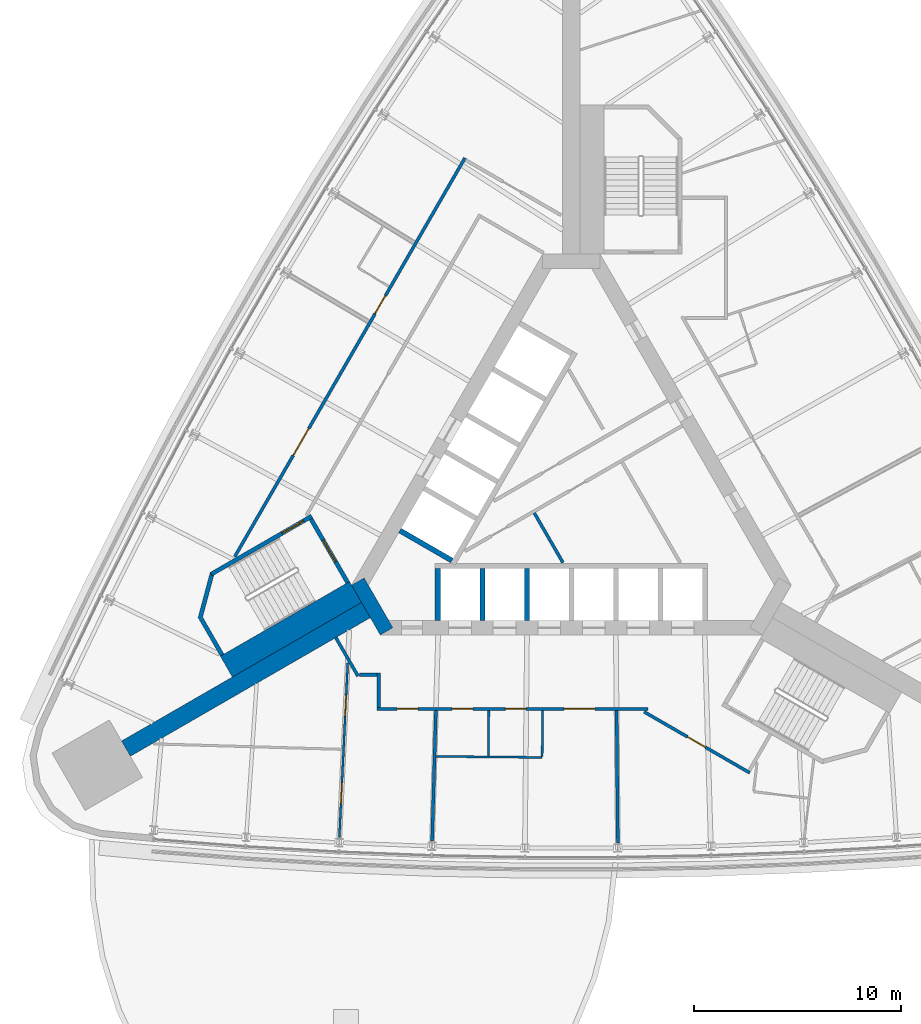
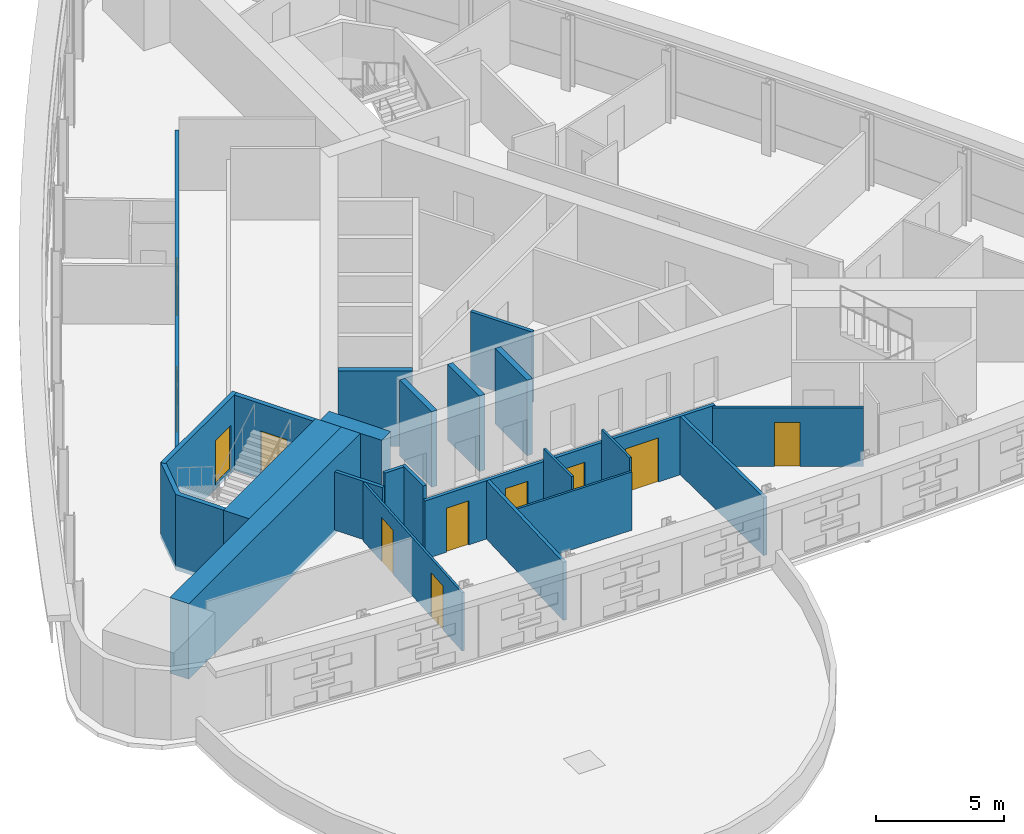
# One storey, part 10 of 15: 23 walls, 11 doors, 11 openings.
"""IFC4 building model written with IfcOpenShell, lengths in metres."""

from ifc_helpers import new_model, si_unit, direction, frame, frame_2d, origin, place, context, subcontext, project, spatial, polyline, rectangle, outline, extrude, material, layer, layer_set, type_object, element, fill, save


model = new_model("IFC4")

# Units and contexts
model_context = context("Model", 3, precision=1e-05, world=origin(), true_north=direction((0.0, 1.0)))
body_context = subcontext(model_context, "Body", "Model", "MODEL_VIEW")
ifc_project = project(units=[si_unit("LENGTHUNIT", "METRE"), si_unit("AREAUNIT", "SQUARE_METRE"), si_unit("VOLUMEUNIT", "CUBIC_METRE"), si_unit("PLANEANGLEUNIT", "RADIAN"), si_unit("MASSUNIT", "GRAM", prefix="KILO")], contexts=[model_context])

# Site, building, storey
site_placement = place(None, origin())
site = spatial("IfcSite", under=ifc_project, at=site_placement, CompositionType="ELEMENT")
building_placement = place(site_placement, origin())
building = spatial("IfcBuilding", under=site, at=building_placement, Name="Noor Cloister Tower", CompositionType="ELEMENT")
storey_placement = place(building_placement, frame((0.0, 0.0, 69.0)))
storey = spatial("IfcBuildingStorey", under=building, at=storey_placement, Name="L17", CompositionType="ELEMENT", Elevation=69.0)

# Walls
ifc_material_1 = material(Name="Concrete C80/95", Category="concrete")
ifc_layer_1 = layer(ifc_material_1, 0.85009765625)
ifc_layer_set_1 = layer_set([ifc_layer_1], Name="Buttress wall 850 C80/95")
wall_type_1 = type_object("IfcWallType", Name="Buttress wall 850 C80/95", PredefinedType="SHEAR", material=ifc_layer_set_1)
wall_1_placement = place(storey_placement, frame((-9.921630859375, -5.728271484375, -0.199951171875), z_axis=(0.0, 0.0, 1.0), x_axis=(-0.866026077102, -0.499998833779, 0.0)))
element("IfcWall", 1, at=wall_1_placement, inside=storey, type_object=wall_type_1, Name="Buttress wall SW L17", PredefinedType="SHEAR", context=body_context, shape_type="SweptSolid", body=[
    extrude(rectangle(XDim=13.38134765625, YDim=0.85009765625, at=frame_2d((6.690673828125, 0.0))), origin(), (0.0, 0.0, 1.0), 3.599853515625),
])
ifc_material_2 = material(Name="Concrete C30/37", Category="concrete")
ifc_layer_2 = layer(ifc_material_2, 0.14990234375)
ifc_layer_set_2 = layer_set([ifc_layer_2], Name="Core partition 150 C30/37")
wall_type_2 = type_object("IfcWallType", Name="Core partition 150 C30/37", PredefinedType="PARTITIONING", material=ifc_layer_set_2)
wall_2_placement = place(storey_placement, frame((-0.40673828125, -3.439208984375, 0.0), z_axis=(0.0, 0.0, 1.0), x_axis=(-0.500004591975, 0.86602275259, 0.0)))
element("IfcWall", 2, at=wall_2_placement, inside=storey, type_object=wall_type_2, Name="Core room partition L17 4", PredefinedType="PARTITIONING", context=body_context, shape_type="SweptSolid", body=[
    extrude(rectangle(XDim=2.771484375, YDim=0.14990234375, at=frame_2d((1.3857421875, 0.0))), origin(), (0.0, 0.0, 1.0), 3.39990234375),
])
ifc_material_3 = material(Name="Concrete C80/95", Category="concrete")
ifc_layer_3 = layer(ifc_material_3, 0.699951171875)
ifc_layer_set_3 = layer_set([ifc_layer_3], Name="Core wall 700 C80/95")
wall_type_3 = type_object("IfcWallType", Name="Core wall 700 C80/95", PredefinedType="SHEAR", material=ifc_layer_set_3)
wall_3_placement = place(storey_placement, frame((-10.311279296875, -4.353271484375, -0.199951171875), z_axis=(0.0, 0.0, 1.0), x_axis=(0.500042739161, -0.866000726912, 0.0)))
element("IfcWall", 3, at=wall_3_placement, inside=storey, type_object=wall_type_3, Name="Core wall L17 6", PredefinedType="SHEAR", context=body_context, shape_type="SweptSolid", body=[
    extrude(rectangle(XDim=2.771240234375, YDim=0.699951171875, at=frame_2d((1.3857421875, 0.0))), origin(), (0.0, 0.0, 1.0), 3.599853515625),
])

# Wall, openings, doors
ifc_material_4 = material(Name="Gypsum board partition on steel studs, 150 mm", Category="steel")
ifc_layer_4 = layer(ifc_material_4, 0.14990234375)
ifc_layer_set_4 = layer_set([ifc_layer_4], Name="Flat wall 150")
wall_type_4 = type_object("IfcWallType", Name="Flat wall 150", PredefinedType="PARTITIONING", material=ifc_layer_set_4)
wall_4_placement = place(storey_placement, frame((-16.255615234375, -3.149169921875, 0.0), z_axis=(0.0, 0.0, 1.0), x_axis=(0.499999683919, 0.866025586274, 0.0)))
wall_4 = element("IfcWall", 4, at=wall_4_placement, inside=storey, type_object=wall_type_4, Name="Flat wall 150 L17 001", PredefinedType="PARTITIONING", context=body_context, shape_type="SweptSolid", body=[
    extrude(rectangle(XDim=22.23388671875, YDim=0.14990234375, at=frame_2d((11.116943359375, 0.0))), origin(), (0.0, 0.0, 1.0), 2.778076171875),
])
opening_1_placement = place(wall_4_placement, frame((13.551025390625, 0.0, 0.0)))
opening_1 = element("IfcOpeningElement", 5, at=opening_1_placement, cuts=wall_4, Name="Opening L17-001", PredefinedType="OPENING", context=body_context, shape_type="SweptSolid", body=[
    extrude(rectangle(XDim=1.0, YDim=2.10009765625, at=frame_2d((0.5, 1.050048828125))), frame((0.0, 0.0849609375, 0.0), z_axis=(0.0, -1.0, 0.0), x_axis=(1.0, 0.0, 0.0)), (0.0, 0.0, 1.0), 0.169921875),
])
opening_2_placement = place(wall_4_placement, frame((5.646728515625, 0.0, 0.0)))
opening_2 = element("IfcOpeningElement", 6, at=opening_2_placement, cuts=wall_4, Name="Opening L17-002", PredefinedType="OPENING", context=body_context, shape_type="SweptSolid", body=[
    extrude(rectangle(XDim=1.5, YDim=2.10009765625, at=frame_2d((0.75, 1.050048828125))), frame((0.0, 0.0849609375, 0.0), z_axis=(0.0, -1.0, 0.0), x_axis=(1.0, 0.0, 0.0)), (0.0, 0.0, 1.0), 0.169921875),
])
ifc_material_5 = material(Name="Timber door leaf with steel frame", Category="steel")
door_type_1 = type_object("IfcDoorType", Name="Assisted living door 1000", OperationType="NOTDEFINED", PredefinedType="DOOR", material=ifc_material_5)
door_1_placement = place(opening_1_placement, origin())
door_1 = element("IfcDoor", 7, at=door_1_placement, inside=storey, type_object=door_type_1, Name="Assisted living door 1000 L17-001", OperationType="SINGLE_SWING_RIGHT", OverallHeight=2.10009765625, OverallWidth=1.0, PredefinedType="DOOR", context=body_context, shape_type="SweptSolid", body=[
    extrude(rectangle(XDim=1.0, YDim=2.10009765625, at=frame_2d((0.5, 1.050048828125))), frame((0.0, 0.02490234375, 0.0), z_axis=(0.0, -1.0, 0.0), x_axis=(1.0, 0.0, 0.0)), (0.0, 0.0, 1.0), 0.050048828125),
])
fill(opening_1, door_1)
ifc_material_6 = material(Name="Timber door leaf with steel frame", Category="steel")
door_type_2 = type_object("IfcDoorType", Name="Double door 1500 FD60", OperationType="NOTDEFINED", PredefinedType="DOOR", material=ifc_material_6)
door_2_placement = place(opening_2_placement, origin())
door_2 = element("IfcDoor", 8, at=door_2_placement, inside=storey, type_object=door_type_2, Name="Double door 1500 L17-002", OperationType="DOUBLE_DOOR_SINGLE_SWING", OverallHeight=2.10009765625, OverallWidth=1.5, PredefinedType="DOOR", context=body_context, shape_type="SweptSolid", body=[
    extrude(rectangle(XDim=1.5, YDim=2.10009765625, at=frame_2d((0.75, 1.050048828125))), frame((0.0, 0.02490234375, 0.0), z_axis=(0.0, -1.0, 0.0), x_axis=(1.0, 0.0, 0.0)), (0.0, 0.0, 1.0), 0.050048828125),
])
fill(opening_2, door_2)

wall_5_placement = place(storey_placement, frame((3.68896484375, -10.503173828125, 0.0), z_axis=(0.0, 0.0, 1.0), x_axis=(-1.0, 0.0, 0.0)))
wall_5 = element("IfcWall", 9, at=wall_5_placement, inside=storey, type_object=wall_type_4, Name="Flat wall 150 L17 004", PredefinedType="PARTITIONING", context=body_context, shape_type="SweptSolid", body=[
    extrude(rectangle(XDim=13.067626953125, YDim=0.14990234375, at=frame_2d((6.53369140625, 0.0))), origin(), (0.0, 0.0, 1.0), 2.778076171875),
])
opening_3_placement = place(wall_5_placement, frame((11.103271484375, 0.0, 0.0)))
opening_3 = element("IfcOpeningElement", 10, at=opening_3_placement, cuts=wall_5, Name="Opening L17-006", PredefinedType="OPENING", context=body_context, shape_type="SweptSolid", body=[
    extrude(rectangle(XDim=1.0, YDim=2.10009765625, at=frame_2d((0.5, 1.050048828125))), frame((0.0, 0.0849609375, 0.0), z_axis=(0.0, -1.0, 0.0), x_axis=(1.0, 0.0, 0.0)), (0.0, 0.0, 1.0), 0.169921875),
])
opening_4_placement = place(wall_5_placement, frame((8.443115234375, 0.0, 0.0)))
opening_4 = element("IfcOpeningElement", 11, at=opening_4_placement, cuts=wall_5, Name="Opening L17-007", PredefinedType="OPENING", context=body_context, shape_type="SweptSolid", body=[
    extrude(rectangle(XDim=1.0, YDim=2.10009765625, at=frame_2d((0.5, 1.050048828125))), frame((0.0, 0.0849609375, 0.0), z_axis=(0.0, -1.0, 0.0), x_axis=(1.0, 0.0, 0.0)), (0.0, 0.0, 1.0), 0.169921875),
])
opening_5_placement = place(wall_5_placement, frame((5.87890625, 0.0, 0.0)))
opening_5 = element("IfcOpeningElement", 12, at=opening_5_placement, cuts=wall_5, Name="Opening L17-008", PredefinedType="OPENING", context=body_context, shape_type="SweptSolid", body=[
    extrude(rectangle(XDim=1.0, YDim=2.10009765625, at=frame_2d((0.5, 1.050048828125))), frame((0.0, 0.0849609375, 0.0), z_axis=(0.0, -1.0, 0.0), x_axis=(1.0, 0.0, 0.0)), (0.0, 0.0, 1.0), 0.169921875),
])
opening_6_placement = place(wall_5_placement, frame((2.55615234375, 0.0, 0.0)))
opening_6 = element("IfcOpeningElement", 13, at=opening_6_placement, cuts=wall_5, Name="Opening L17-009", PredefinedType="OPENING", context=body_context, shape_type="SweptSolid", body=[
    extrude(rectangle(XDim=1.5, YDim=2.10009765625, at=frame_2d((0.75, 1.050048828125))), frame((0.0, 0.0849609375, 0.0), z_axis=(0.0, -1.0, 0.0), x_axis=(1.0, 0.0, 0.0)), (0.0, 0.0, 1.0), 0.169921875),
])
ifc_material_7 = material(Name="Timber door leaf with steel frame", Category="steel")
door_type_3 = type_object("IfcDoorType", Name="Accessible WC door 1000", OperationType="NOTDEFINED", PredefinedType="DOOR", material=ifc_material_7)
door_3_placement = place(opening_4_placement, origin())
door_3 = element("IfcDoor", 14, at=door_3_placement, inside=storey, type_object=door_type_3, Name="Accessible WC door 1000 L17-007", OperationType="SINGLE_SWING_RIGHT", OverallHeight=2.10009765625, OverallWidth=1.0, PredefinedType="DOOR", context=body_context, shape_type="SweptSolid", body=[
    extrude(rectangle(XDim=1.0, YDim=2.10009765625, at=frame_2d((0.5, 1.050048828125))), frame((0.0, 0.02490234375, 0.0), z_axis=(0.0, -1.0, 0.0), x_axis=(1.0, 0.0, 0.0)), (0.0, 0.0, 1.0), 0.050048828125),
])
fill(opening_4, door_3)
door_4_placement = place(opening_6_placement, origin())
door_4 = element("IfcDoor", 15, at=door_4_placement, inside=storey, type_object=door_type_2, Name="Double door 1500 L17-009", OperationType="DOUBLE_DOOR_SINGLE_SWING", OverallHeight=2.10009765625, OverallWidth=1.5, PredefinedType="DOOR", context=body_context, shape_type="SweptSolid", body=[
    extrude(rectangle(XDim=1.5, YDim=2.10009765625, at=frame_2d((0.75, 1.050048828125))), frame((0.0, 0.02490234375, 0.0), z_axis=(0.0, -1.0, 0.0), x_axis=(1.0, 0.0, 0.0)), (0.0, 0.0, 1.0), 0.050048828125),
])
fill(opening_6, door_4)
ifc_material_8 = material(Name="Timber door leaf with steel frame", Category="steel")
door_type_4 = type_object("IfcDoorType", Name="Flat entrance door 1000 FD60S", OperationType="NOTDEFINED", PredefinedType="DOOR", material=ifc_material_8)
door_5_placement = place(opening_3_placement, origin())
door_5 = element("IfcDoor", 16, at=door_5_placement, inside=storey, type_object=door_type_4, Name="Flat entrance door 1000 L17-006", OperationType="SINGLE_SWING_RIGHT", OverallHeight=2.10009765625, OverallWidth=1.0, PredefinedType="DOOR", context=body_context, shape_type="SweptSolid", body=[
    extrude(rectangle(XDim=1.0, YDim=2.10009765625, at=frame_2d((0.5, 1.050048828125))), frame((0.0, 0.02490234375, 0.0), z_axis=(0.0, -1.0, 0.0), x_axis=(1.0, 0.0, 0.0)), (0.0, 0.0, 1.0), 0.050048828125),
])
fill(opening_3, door_5)
ifc_material_9 = material(Name="Timber door leaf with steel frame", Category="steel")
door_type_5 = type_object("IfcDoorType", Name="Interior door 1000 FD60", OperationType="NOTDEFINED", PredefinedType="DOOR", material=ifc_material_9)
door_6_placement = place(opening_5_placement, origin())
door_6 = element("IfcDoor", 17, at=door_6_placement, inside=storey, type_object=door_type_5, Name="Interior door 1000 L17-008", OperationType="SINGLE_SWING_LEFT", OverallHeight=2.10009765625, OverallWidth=1.0, PredefinedType="DOOR", context=body_context, shape_type="SweptSolid", body=[
    extrude(rectangle(XDim=1.0, YDim=2.10009765625, at=frame_2d((0.5, 1.050048828125))), frame((0.0, 0.02490234375, 0.0), z_axis=(0.0, -1.0, 0.0), x_axis=(1.0, 0.0, 0.0)), (0.0, 0.0, 1.0), 0.050048828125),
])
fill(opening_5, door_6)

# Wall, opening, door
wall_6_placement = place(storey_placement, frame((8.6162109375, -13.58935546875, 0.0), z_axis=(0.0, 0.0, 1.0), x_axis=(-0.866039313704, 0.499975906538, 0.0)))
wall_6 = element("IfcWall", 18, at=wall_6_placement, inside=storey, type_object=wall_type_4, Name="Flat wall 150 L17 006", PredefinedType="PARTITIONING", context=body_context, shape_type="SweptSolid", body=[
    extrude(rectangle(XDim=5.892333984375, YDim=0.14990234375, at=frame_2d((2.9462890625, 0.0))), origin(), (0.0, 0.0, 1.0), 2.778076171875),
])
opening_7_placement = place(wall_6_placement, frame((2.47509765625, 0.0, 0.0)))
opening_7 = element("IfcOpeningElement", 19, at=opening_7_placement, cuts=wall_6, Name="Opening L17-010", PredefinedType="OPENING", context=body_context, shape_type="SweptSolid", body=[
    extrude(rectangle(XDim=1.0, YDim=2.10009765625, at=frame_2d((0.5, 1.050048828125))), frame((0.0, 0.0849609375, 0.0), z_axis=(0.0, -1.0, 0.0), x_axis=(1.0, 0.0, 0.0)), (0.0, 0.0, 1.0), 0.169921875),
])
door_7_placement = place(opening_7_placement, origin())
door_7 = element("IfcDoor", 20, at=door_7_placement, inside=storey, type_object=door_type_4, Name="Flat entrance door 1000 L17-010", OperationType="SINGLE_SWING_RIGHT", OverallHeight=2.10009765625, OverallWidth=1.0, PredefinedType="DOOR", context=body_context, shape_type="SweptSolid", body=[
    extrude(rectangle(XDim=1.0, YDim=2.10009765625, at=frame_2d((0.5, 1.050048828125))), frame((0.0, 0.02490234375, 0.0), z_axis=(0.0, -1.0, 0.0), x_axis=(1.0, 0.0, 0.0)), (0.0, 0.0, 1.0), 0.050048828125),
])
fill(opening_7, door_7)

# Walls
wall_7_placement = place(storey_placement, frame((-11.376220703125, -7.058837890625, 0.0), z_axis=(0.0, 0.0, 1.0), x_axis=(0.500076779081, -0.865981070823, 0.0)))
element("IfcWall", 21, at=wall_7_placement, inside=storey, type_object=wall_type_4, Name="Flat wall 150 L17 012", PredefinedType="PARTITIONING", context=body_context, shape_type="SweptSolid", body=[
    extrude(rectangle(XDim=2.147216796875, YDim=0.14990234375, at=frame_2d((1.07373046875, 0.0))), origin(), (0.0, 0.0, 1.0), 2.778076171875),
])
wall_8_placement = place(storey_placement, frame((-9.3037109375, -10.42822265625, 0.0), z_axis=(0.0, 0.0, 1.0), x_axis=(0.0, 1.0, 0.0)))
element("IfcWall", 22, at=wall_8_placement, inside=storey, type_object=wall_type_4, Name="Flat wall 150 L17 014", PredefinedType="PARTITIONING", context=body_context, shape_type="SweptSolid", body=[
    extrude(rectangle(XDim=1.64990234375, YDim=0.14990234375, at=frame_2d((0.824951171875, 0.0))), origin(), (0.0, 0.0, 1.0), 3.39990234375),
])
wall_9_placement = place(storey_placement, frame((-10.23779296875, -8.853271484375, 0.0), z_axis=(0.0, 0.0, 1.0), x_axis=(1.0, 0.0, 0.0)))
element("IfcWall", 23, at=wall_9_placement, inside=storey, type_object=wall_type_4, Name="Flat wall 150 L17 015", PredefinedType="PARTITIONING", context=body_context, shape_type="SweptSolid", body=[
    extrude(rectangle(XDim=0.859130859375, YDim=0.14990234375, at=frame_2d((0.4296875, 0.0))), origin(), (0.0, 0.0, 1.0), 3.39990234375),
])
wall_10_placement = place(storey_placement, frame((2.2421875, -16.96826171875, 0.0), z_axis=(0.0, 0.0, 1.0), x_axis=(-0.009628532285, 0.999953644609, 0.0)))
element("IfcWall", 24, at=wall_10_placement, inside=storey, type_object=wall_type_4, Name="Flat wall 150 L17 017", PredefinedType="PARTITIONING", context=body_context, shape_type="SweptSolid", body=[
    extrude(rectangle(XDim=6.3896484375, YDim=0.14990234375, at=frame_2d((3.19482421875, 0.0))), origin(), (0.0, 0.0, 1.0), 2.778076171875),
])
wall_11_placement = place(storey_placement, frame((-6.725830078125, -16.8818359375, 0.0), z_axis=(0.0, 0.0, 1.0), x_axis=(0.028929036321, 0.999581467844, 0.0)))
element("IfcWall", 25, at=wall_11_placement, inside=storey, type_object=wall_type_4, Name="Flat wall 150 L17 018", PredefinedType="PARTITIONING", context=body_context, shape_type="SweptSolid", body=[
    extrude(rectangle(XDim=6.30419921875, YDim=0.14990234375, at=frame_2d((3.152099609375, 0.0))), origin(), (0.0, 0.0, 1.0), 2.778076171875),
])

# Wall, openings, doors
ifc_material_10 = material(Name="Gypsum board partition on steel studs, 100 mm", Category="steel")
ifc_layer_5 = layer(ifc_material_10, 0.10009765625)
ifc_layer_set_5 = layer_set([ifc_layer_5], Name="Partition 100")
wall_type_5 = type_object("IfcWallType", Name="Partition 100", PredefinedType="PARTITIONING", material=ifc_layer_set_5)
wall_12_placement = place(storey_placement, frame((-11.20703125, -16.708740234375, 0.0), z_axis=(0.0, 0.0, 1.0), x_axis=(0.048196786961, 0.998837859578, 0.0)))
wall_12 = element("IfcWall", 26, at=wall_12_placement, inside=storey, type_object=wall_type_5, Name="Partition 100 L17 024", PredefinedType="PARTITIONING", context=body_context, shape_type="SweptSolid", body=[
    extrude(rectangle(XDim=8.428955078125, YDim=0.10009765625, at=frame_2d((4.21435546875, 0.0))), origin(), (0.0, 0.0, 1.0), 2.778076171875),
])
opening_8_placement = place(wall_12_placement, frame((5.8681640625, 0.0, 0.0)))
opening_8 = element("IfcOpeningElement", 27, at=opening_8_placement, cuts=wall_12, Name="Opening L17-015", PredefinedType="OPENING", context=body_context, shape_type="SweptSolid", body=[
    extrude(rectangle(XDim=1.0, YDim=2.10009765625, at=frame_2d((0.5, 1.050048828125))), frame((0.0, 0.06005859375, 0.0), z_axis=(0.0, -1.0, 0.0), x_axis=(1.0, 0.0, 0.0)), (0.0, 0.0, 1.0), 0.1201171875),
])
opening_9_placement = place(wall_12_placement, frame((1.635009765625, 0.0, 0.0)))
opening_9 = element("IfcOpeningElement", 28, at=opening_9_placement, cuts=wall_12, Name="Opening L17-016", PredefinedType="OPENING", context=body_context, shape_type="SweptSolid", body=[
    extrude(rectangle(XDim=1.0, YDim=2.10009765625, at=frame_2d((0.5, 1.050048828125))), frame((0.0, 0.06005859375, 0.0), z_axis=(0.0, -1.0, 0.0), x_axis=(1.0, 0.0, 0.0)), (0.0, 0.0, 1.0), 0.1201171875),
])
ifc_material_11 = material(Name="Timber door leaf with steel frame", Category="steel")
door_type_6 = type_object("IfcDoorType", Name="Interior door 1000", OperationType="NOTDEFINED", PredefinedType="DOOR", material=ifc_material_11)
door_8_placement = place(opening_8_placement, origin())
door_8 = element("IfcDoor", 29, at=door_8_placement, inside=storey, type_object=door_type_6, Name="Interior door 1000 L17-015", OperationType="SINGLE_SWING_RIGHT", OverallHeight=2.10009765625, OverallWidth=1.0, PredefinedType="DOOR", context=body_context, shape_type="SweptSolid", body=[
    extrude(rectangle(XDim=1.0, YDim=2.10009765625, at=frame_2d((0.5, 1.050048828125))), frame((0.0, 0.02490234375, 0.0), z_axis=(0.0, -1.0, 0.0), x_axis=(1.0, 0.0, 0.0)), (0.0, 0.0, 1.0), 0.050048828125),
])
fill(opening_8, door_8)
door_9_placement = place(opening_9_placement, origin())
door_9 = element("IfcDoor", 30, at=door_9_placement, inside=storey, type_object=door_type_6, Name="Interior door 1000 L17-016", OperationType="SINGLE_SWING_LEFT", OverallHeight=2.10009765625, OverallWidth=1.0, PredefinedType="DOOR", context=body_context, shape_type="SweptSolid", body=[
    extrude(rectangle(XDim=1.0, YDim=2.10009765625, at=frame_2d((0.5, 1.050048828125))), frame((0.0, 0.02490234375, 0.0), z_axis=(0.0, -1.0, 0.0), x_axis=(1.0, 0.0, 0.0)), (0.0, 0.0, 1.0), 0.050048828125),
])
fill(opening_9, door_9)

# Walls
wall_13_placement = place(storey_placement, frame((-6.531494140625, -12.794921875, 0.0), z_axis=(0.0, 0.0, 1.0), x_axis=(0.99995315176, -0.009679580841, 0.0)))
element("IfcWall", 31, at=wall_13_placement, inside=storey, type_object=wall_type_5, Name="Partition 100 L17 027", PredefinedType="PARTITIONING", context=body_context, shape_type="SweptSolid", body=[
    extrude(rectangle(XDim=5.1201171875, YDim=0.10009765625, at=frame_2d((2.56005859375, 0.0))), origin(), (0.0, 0.0, 1.0), 2.778076171875),
])
wall_14_placement = place(storey_placement, frame((-1.4111328125, -12.79443359375, 0.0), z_axis=(0.0, 0.0, 1.0), x_axis=(0.009585280215, 0.999954060146, 0.0)))
element("IfcWall", 32, at=wall_14_placement, inside=storey, type_object=wall_type_5, Name="Partition 100 L17 034", PredefinedType="PARTITIONING", context=body_context, shape_type="SweptSolid", body=[
    extrude(rectangle(XDim=2.2158203125, YDim=0.10009765625, at=frame_2d((1.10791015625, 0.0))), origin(), (0.0, 0.0, 1.0), 3.39990234375),
])
wall_15_placement = place(storey_placement, frame((-4.010986328125, -12.769287109375, 0.0), z_axis=(0.0, 0.0, 1.0), x_axis=(0.009583868309, 0.99995407368, 0.0)))
element("IfcWall", 33, at=wall_15_placement, inside=storey, type_object=wall_type_5, Name="Partition 100 L17 035", PredefinedType="PARTITIONING", context=body_context, shape_type="SweptSolid", body=[
    extrude(rectangle(XDim=2.190673828125, YDim=0.10009765625, at=frame_2d((1.09521484375, 0.0))), origin(), (0.0, 0.0, 1.0), 3.39990234375),
])
ifc_material_12 = material(Name="Concrete C80/95", Category="concrete")
ifc_layer_6 = layer(ifc_material_12, 0.25)
ifc_layer_set_6 = layer_set([ifc_layer_6], Name="Shaft wall 250 C80/95")
wall_type_6 = type_object("IfcWallType", Name="Shaft wall 250 C80/95", PredefinedType="PARTITIONING", material=ifc_layer_set_6)
for number, where, z_axis, x_axis, name in (
    (34, (-6.449951171875, -6.228271484375, -0.199951171875), (0.0, 0.0, 1.0), (0.0, 1.0, 0.0), "Lift shaft wall L17 S 1"),
    (35, (-4.300048828125, -6.228271484375, -0.199951171875), (0.0, 0.0, 1.0), (0.0, 1.0, 0.0), "Lift shaft wall L17 S 2"),
    (36, (-2.14990234375, -6.228271484375, -0.199951171875), (0.0, 0.0, 1.0), (0.0, 1.0, 0.0), "Lift shaft wall L17 S 3"),
):
    element("IfcWall", number, at=place(storey_placement, frame(where, z_axis=z_axis, x_axis=x_axis)), inside=storey, type_object=wall_type_6, Name=name, PredefinedType="PARTITIONING", context=body_context, shape_type="SweptSolid", body=[
        extrude(rectangle(XDim=2.5, YDim=0.25, at=frame_2d((1.25, 0.0))), origin(), (0.0, 0.0, 1.0), 3.599853515625),
    ])
wall_16_placement = place(storey_placement, frame((-8.28125, -1.88720703125, -0.199951171875), z_axis=(0.0, 0.0, 1.0), x_axis=(0.866032775405, -0.499987231761, 0.0)))
element("IfcWall", 37, at=wall_16_placement, inside=storey, type_object=wall_type_6, Name="Lift shaft wall L17 NW 6", PredefinedType="PARTITIONING", context=body_context, shape_type="SweptSolid", body=[
    extrude(rectangle(XDim=2.89990234375, YDim=0.25, at=frame_2d((1.449951171875, 0.0))), origin(), (0.0, 0.0, 1.0), 3.599853515625),
])
ifc_material_13 = material(Name="Concrete C80/95", Category="concrete")
ifc_layer_7 = layer(ifc_material_13, 1.160888671875)
ifc_layer_set_7 = layer_set([ifc_layer_7], Name="Stair enclosure wall 1161 C80/95")
wall_type_7 = type_object("IfcWallType", Name="Stair enclosure wall 1161 C80/95", PredefinedType="SHEAR", material=ifc_layer_set_7)
wall_17_placement = place(storey_placement, frame((-10.42431640625, -4.857666015625, -0.199951171875), z_axis=(0.0, 0.0, 1.0), x_axis=(-0.866033125095, -0.499986626058, 0.0)))
element("IfcWall", 38, at=wall_17_placement, inside=storey, type_object=wall_type_7, Name="Stair enclosure wall ST2 L17 riser side", PredefinedType="SHEAR", context=body_context, shape_type="SweptSolid", body=[
    extrude(rectangle(XDim=7.199951171875, YDim=1.16064453125, at=frame_2d((3.60009765625, 0.0))), origin(), (0.0, 0.0, 1.0), 3.599853515625),
])

# Wall, opening, door
ifc_material_14 = material(Name="Concrete C80/95", Category="concrete")
ifc_layer_8 = layer(ifc_material_14, 0.199951171875)
ifc_layer_set_8 = layer_set([ifc_layer_8], Name="Stair enclosure wall 200 C80/95")
wall_type_8 = type_object("IfcWallType", Name="Stair enclosure wall 200 C80/95", PredefinedType="SHEAR", material=ifc_layer_set_8)
wall_18_placement = place(storey_placement, frame((-12.575927734375, -1.33056640625, -0.199951171875), z_axis=(0.0, 0.0, 1.0), x_axis=(0.499970499736, -0.8660424351, 0.0)))
wall_18 = element("IfcWall", 39, at=wall_18_placement, inside=storey, type_object=wall_type_8, Name="Stair enclosure wall ST2 L17 near end", PredefinedType="SHEAR", context=body_context, shape_type="SweptSolid", body=[
    extrude(rectangle(XDim=3.550048828125, YDim=0.199951171875, at=frame_2d((1.77490234375, 0.0))), origin(), (0.0, 0.0, 1.0), 3.599853515625),
])
opening_10_placement = place(wall_18_placement, frame((1.175048828125, 0.0, 0.199951171875)))
opening_10 = element("IfcOpeningElement", 40, at=opening_10_placement, cuts=wall_18, Name="Opening L17-ST2L", PredefinedType="OPENING", context=body_context, shape_type="SweptSolid", body=[
    extrude(rectangle(XDim=1.199951171875, YDim=2.10009765625, at=frame_2d((0.60009765625, 1.050048828125))), frame((0.0, 0.10986328125, 0.0), z_axis=(0.0, -1.0, 0.0), x_axis=(1.0, 0.0, 0.0)), (0.0, 0.0, 1.0), 0.219970703125),
])
ifc_material_15 = material(Name="Steel", Category="steel")
door_type_7 = type_object("IfcDoorType", Name="Stair door 1200 x 2100 FD120", OperationType="SINGLE_SWING_LEFT", PredefinedType="DOOR", material=ifc_material_15)
door_10_placement = place(opening_10_placement, origin())
door_10 = element("IfcDoor", 41, at=door_10_placement, inside=storey, type_object=door_type_7, Name="Stair door ST2 L17", OperationType="SINGLE_SWING_RIGHT", OverallHeight=2.10009765625, OverallWidth=1.199951171875, PredefinedType="DOOR", context=body_context, shape_type="SweptSolid", body=[
    extrude(rectangle(XDim=1.199951171875, YDim=2.10009765625, at=frame_2d((0.60009765625, 1.050048828125))), frame((0.0, 0.02490234375, 0.0), z_axis=(0.0, -1.0, 0.0), x_axis=(1.0, 0.0, 0.0)), (0.0, 0.0, 1.0), 0.050048828125),
])
fill(opening_10, door_10)

wall_19_placement = place(storey_placement, frame((-12.539306640625, -1.194091796875, -0.199951171875), z_axis=(0.0, 0.0, 1.0), x_axis=(-0.866045472092, -0.499965239061, 0.0)))
wall_19 = element("IfcWall", 42, at=wall_19_placement, inside=storey, type_object=wall_type_8, Name="Stair enclosure wall ST2 L17 outer side", PredefinedType="SHEAR", context=body_context, shape_type="SweptSolid", body=[
    extrude(rectangle(XDim=5.60009765625, YDim=0.199951171875, at=frame_2d((2.800048828125, 0.0))), origin(), (0.0, 0.0, 1.0), 3.599853515625),
])
opening_11_placement = place(wall_19_placement, frame((0.449951171875, 0.0, 0.199951171875)))
opening_11 = element("IfcOpeningElement", 43, at=opening_11_placement, cuts=wall_19, Name="Opening L17-ST2C", PredefinedType="OPENING", context=body_context, shape_type="SweptSolid", body=[
    extrude(rectangle(XDim=1.199951171875, YDim=2.10009765625, at=frame_2d((0.60009765625, 1.050048828125))), frame((0.0, 0.10986328125, 0.0), z_axis=(0.0, -1.0, 0.0), x_axis=(1.0, 0.0, 0.0)), (0.0, 0.0, 1.0), 0.219970703125),
])
door_11_placement = place(opening_11_placement, origin())
door_11 = element("IfcDoor", 44, at=door_11_placement, inside=storey, type_object=door_type_7, Name="Stair door ST2 L17", OperationType="SINGLE_SWING_LEFT", OverallHeight=2.10009765625, OverallWidth=1.199951171875, PredefinedType="DOOR", context=body_context, shape_type="SweptSolid", body=[
    extrude(rectangle(XDim=1.199951171875, YDim=2.10009765625, at=frame_2d((0.60009765625, 1.050048828125))), frame((0.0, 0.02490234375, 0.0), z_axis=(0.0, -1.0, 0.0), x_axis=(1.0, 0.0, 0.0)), (0.0, 0.0, 1.0), 0.050048828125),
])
fill(opening_11, door_11)

# Wall
ifc_material_16 = material(Name="Concrete C80/95", Category="concrete")
wall_type_9 = type_object("IfcWallType", Name="Stair far end wall C80/95", PredefinedType="SHEAR", material=ifc_material_16)
wall_20_placement = place(storey_placement, frame((0.0, 0.0, -0.199951171875)))
element("IfcWall", 45, at=wall_20_placement, inside=storey, type_object=wall_type_9, Name="Stair enclosure wall ST2 L17 far end", PredefinedType="SHEAR", context=body_context, shape_type="SweptSolid", body=[
    extrude(outline(polyline([(-17.439208984375, -3.907470703125), (-18.024658203125, -6.093017578125), (-16.94970703125, -7.955078125), (-16.776611328125, -7.85498046875), (-17.81005859375, -6.064697265625), (-17.267333984375, -4.039306640625), (-17.339111328125, -4.08056640625), (-17.339111328125, -4.08056640625), (-17.339111328125, -4.08056640625), (-17.339111328125, -4.08056640625), (-17.339111328125, -4.08056640625), (-17.339111328125, -4.08056640625), (-17.339111328125, -4.08056640625), (-17.339111328125, -4.08056640625), (-17.339111328125, -4.08056640625), (-17.339111328125, -4.08056640625), (-17.339111328125, -4.08056640625), (-17.339111328125, -4.08056640625), (-17.339111328125, -4.08056640625), (-17.339111328125, -4.08056640625), (-17.339111328125, -4.08056640625), (-17.339111328125, -4.08056640625), (-17.339111328125, -4.08056640625), (-17.439208984375, -3.907470703125)])), origin(), (0.0, 0.0, 1.0), 3.599853515625),
])

save(model, "model.ifc")
